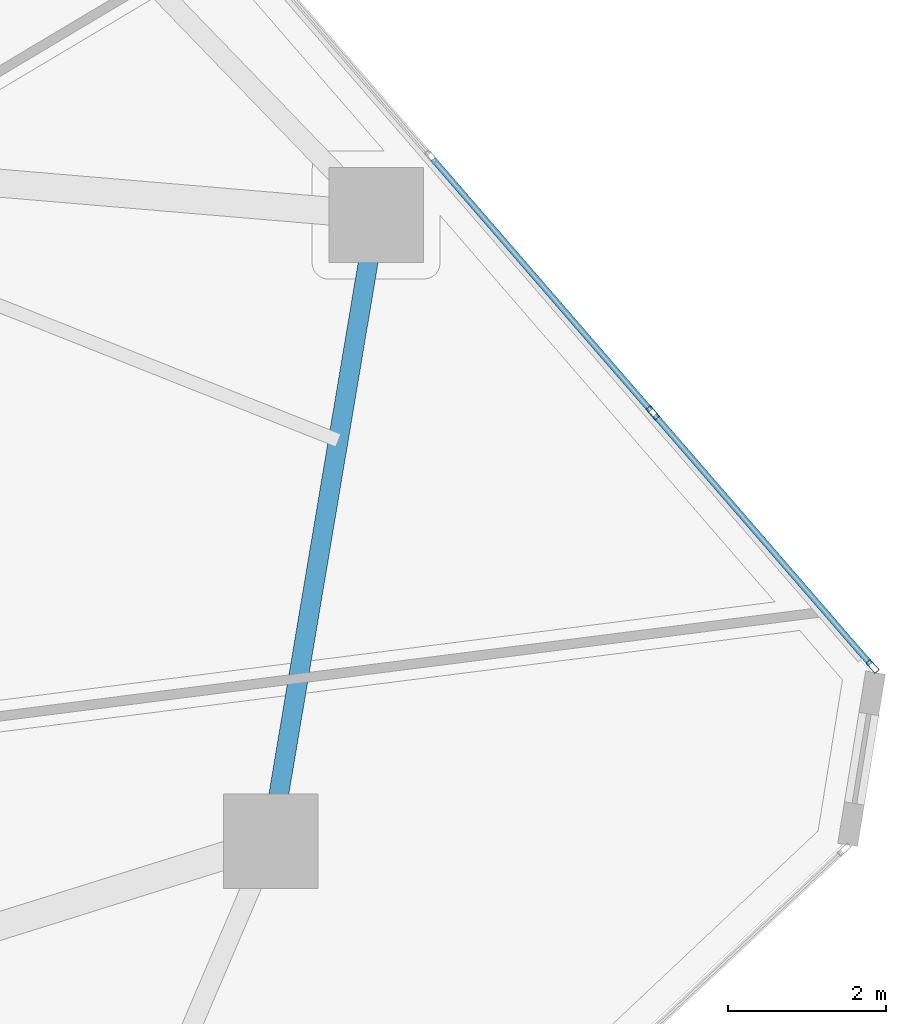
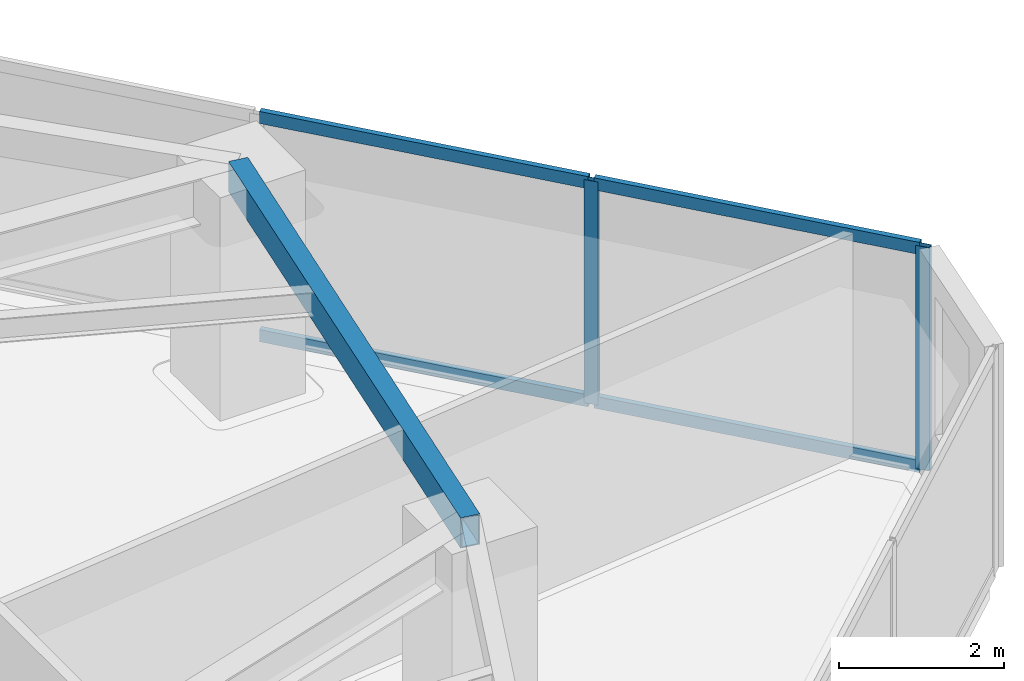
# One storey, part 14 of 22: 6 members, 1 beam, 1 element without a shape of its own.
"""IFC4 building model written with IfcOpenShell, lengths in metres."""

from ifc_helpers import new_model, si_unit, direction, frame, origin, origin_2d, place, context, subcontext, project, spatial, hollow_rectangle, extrude, source, transform, mapped, material, layer, layer_set, material_profile, profile_set, type_object, type_shapes, element, aggregate, save


model = new_model("IFC4")

# Units and contexts
model_context = context("Model", 3, precision=1e-05, world=origin(), true_north=direction((0.0, 1.0)))
body_context = subcontext(model_context, "Body", "Model", "MODEL_VIEW")
ifc_project = project(units=[si_unit("LENGTHUNIT", "METRE"), si_unit("AREAUNIT", "SQUARE_METRE"), si_unit("VOLUMEUNIT", "CUBIC_METRE"), si_unit("PLANEANGLEUNIT", "RADIAN"), si_unit("MASSUNIT", "GRAM", prefix="KILO")], contexts=[model_context])

# Site, building, storey
site_placement = place(None, origin())
site = spatial("IfcSite", under=ifc_project, at=site_placement, CompositionType="ELEMENT")
building_placement = place(site_placement, origin())
building = spatial("IfcBuilding", under=site, at=building_placement, Name="Talar Marvaseh", CompositionType="ELEMENT")
storey_placement = place(building_placement, frame((0.0, 0.0, 89.39990234375)))
storey = spatial("IfcBuildingStorey", under=building, at=storey_placement, Name="L22", CompositionType="ELEMENT", Elevation=89.39990234375)

# Beam
ifc_material_1 = material(Name="Steel S355", Category="steel")
ifc_material_profile_1 = material_profile(ifc_material_1, hollow_rectangle(XDim=0.25, YDim=0.449951171875, WallThickness=0.01611328125, at=origin_2d()), Name="RHS450x250x16")
ifc_profile_set_1 = profile_set([ifc_material_profile_1], Name="Steel S355")
beam_type = type_object("IfcBeamType", Name="Zone 2 Perimeter Spandrel Beam RHS450x250x16", PredefinedType="SPANDREL", material=ifc_profile_set_1)
beam_placement = place(storey_placement, frame((43.0439453125, 36.075927734375, 3.085205078125), z_axis=(-0.165641685249, -0.986186002795, 0.0), x_axis=(0.986186002795, -0.165641685249, 0.0)))
element("IfcBeam", 1, at=beam_placement, inside=storey, type_object=beam_type, Name="L22 Zone 2 Perimeter Spandrel Beam RHS450x250x16", PredefinedType="SPANDREL", context=body_context, shape_type="SweptSolid", body=[
    extrude(hollow_rectangle(XDim=0.25, YDim=0.449951171875, WallThickness=0.01611328125, at=origin_2d()), origin(), (0.0, 0.0, 1.0), 8.059326171875),
])

# Curtain wall, members
ifc_material_2 = material(Name="Architectural Aluminium", Category="aluminium")
ifc_layer = layer(ifc_material_2, 0.199951171875)
ifc_layer_set = layer_set([ifc_layer], Name="Architectural Aluminium")
curtain_wall_type = type_object("IfcCurtainWallType", Name="Unitised Acoustic Library Curtain Wall Z2", PredefinedType="NOTDEFINED", material=ifc_layer_set)
curtain_wall_placement = place(storey_placement, origin())
curtain_wall = element("IfcCurtainWall", 2, at=curtain_wall_placement, inside=storey, type_object=curtain_wall_type, Name="L22 Unitised Acoustic Library Curtain Wall Z2", PredefinedType="NOTDEFINED")
ifc_material_profile_2 = material_profile(ifc_material_2, hollow_rectangle(XDim=0.074951171875, YDim=0.179931640625, WallThickness=0.0048828125, at=origin_2d()), Name="RHS180x75x5")
ifc_profile_set_2 = profile_set([ifc_material_profile_2], Name="Architectural Aluminium")
member_type_1 = type_object("IfcMemberType", Name="Unitised Curtain Wall Standard Mullion RHS180x75x5", PredefinedType="MULLION", material=ifc_profile_set_2)
shared_shape_1 = source(origin(), body_context, "Body", "SweptSolid", [
    extrude(hollow_rectangle(XDim=0.074951171875, YDim=0.179931640625, WallThickness=0.0048828125, at=origin_2d()), origin(), (0.0, 0.0, 1.0), 3.31005859375),
])
type_shapes(member_type_1, [shared_shape_1])
member_1_placement = place(storey_placement, frame((46.554931640625, 33.56591796875, 0.0), z_axis=(0.0, 0.0, 1.0), x_axis=(0.755810558041, 0.654790348396, 0.0)))
member_1 = element("IfcMember", 3, at=member_1_placement, type_object=member_type_1, Name="CW-Z2 mullion 4", PredefinedType="MULLION", context=body_context, shape_type="MappedRepresentation", body=[
    mapped(shared_shape_1, transform((0.0, 0.0, 0.0), x_axis=(1.0, 0.0, 0.0), y_axis=(0.0, 1.0, 0.0), z_axis=(0.0, 0.0, 1.0), scale=1.0)),
])
member_2_placement = place(storey_placement, frame((49.3447265625, 30.345703125, 0.0), z_axis=(0.0, 0.0, 1.0), x_axis=(0.755810558041, 0.654790348396, 0.0)))
member_2 = element("IfcMember", 4, at=member_2_placement, type_object=member_type_1, Name="CW-Z2 mullion 5", PredefinedType="MULLION", context=body_context, shape_type="MappedRepresentation", body=[
    mapped(shared_shape_1, transform((0.0, 0.0, 0.0), x_axis=(1.0, 0.0, 0.0), y_axis=(0.0, 1.0, 0.0), z_axis=(0.0, 0.0, 1.0), scale=1.0)),
])
ifc_material_profile_3 = material_profile(ifc_material_2, hollow_rectangle(XDim=0.074951171875, YDim=0.179931640625, WallThickness=0.0048828125, at=origin_2d()), Name="RHS180x75x5")
ifc_profile_set_3 = profile_set([ifc_material_profile_3], Name="Architectural Aluminium")
member_type_2 = type_object("IfcMemberType", Name="Unitised Curtain Wall Transom RHS180x75x5", PredefinedType="USERDEFINED", material=ifc_profile_set_3)
shared_shape_2 = source(origin(), body_context, "Body", "SweptSolid", [
    extrude(hollow_rectangle(XDim=0.074951171875, YDim=0.179931640625, WallThickness=0.0048828125, at=origin_2d()), origin(), (0.0, 0.0, 1.0), 4.185302734375),
])
member_3_placement = place(storey_placement, frame((46.57958984375, 33.537353515625, 0.03759765625), z_axis=(0.654783954221, -0.755816097536, 0.0), x_axis=(0.755816097536, 0.654783954221, 0.0)))
member_3 = element("IfcMember", 5, at=member_3_placement, type_object=member_type_2, Name="CW-Z2 transom 4.1", ObjectType="TRANSOM", PredefinedType="USERDEFINED", context=body_context, shape_type="MappedRepresentation", body=[
    mapped(shared_shape_2, transform((0.0, 0.0, 0.0), x_axis=(1.0, 0.0, 0.0), y_axis=(0.0, 1.0, 0.0), z_axis=(0.0, 0.0, 1.0), scale=1.0)),
])
member_4_placement = place(storey_placement, frame((46.57958984375, 33.537353515625, 3.272705078125), z_axis=(0.654783954221, -0.755816097536, 0.0), x_axis=(0.755816097536, 0.654783954221, 0.0)))
member_4 = element("IfcMember", 6, at=member_4_placement, type_object=member_type_2, Name="CW-Z2 transom 4.2", ObjectType="TRANSOM", PredefinedType="USERDEFINED", context=body_context, shape_type="MappedRepresentation", body=[
    mapped(shared_shape_2, transform((0.0, 0.0, 0.0), x_axis=(1.0, 0.0, 0.0), y_axis=(0.0, 1.0, 0.0), z_axis=(0.0, 0.0, 1.0), scale=1.0)),
])
shared_shape_3 = source(origin(), body_context, "Body", "SweptSolid", [
    extrude(hollow_rectangle(XDim=0.074951171875, YDim=0.179931640625, WallThickness=0.0048828125, at=origin_2d()), origin(), (0.0, 0.0, 1.0), 4.222900390625),
])
type_shapes(member_type_2, [shared_shape_2, shared_shape_3])
member_5_placement = place(storey_placement, frame((43.765380859375, 36.785888671875, 0.03759765625), z_axis=(0.65480066749, -0.755801618055, 0.0), x_axis=(0.755801618055, 0.65480066749, 0.0)))
member_5 = element("IfcMember", 7, at=member_5_placement, type_object=member_type_2, Name="CW-Z2 transom 3.1", ObjectType="TRANSOM", PredefinedType="USERDEFINED", context=body_context, shape_type="MappedRepresentation", body=[
    mapped(shared_shape_3, transform((0.0, 0.0, 0.0), x_axis=(1.0, 0.0, 0.0), y_axis=(0.0, 1.0, 0.0), z_axis=(0.0, 0.0, 1.0), scale=1.0)),
])
member_6_placement = place(storey_placement, frame((43.765380859375, 36.785888671875, 3.272705078125), z_axis=(0.65480066749, -0.755801618055, 0.0), x_axis=(0.755801618055, 0.65480066749, 0.0)))
member_6 = element("IfcMember", 8, at=member_6_placement, type_object=member_type_2, Name="CW-Z2 transom 3.2", ObjectType="TRANSOM", PredefinedType="USERDEFINED", context=body_context, shape_type="MappedRepresentation", body=[
    mapped(shared_shape_3, transform((0.0, 0.0, 0.0), x_axis=(1.0, 0.0, 0.0), y_axis=(0.0, 1.0, 0.0), z_axis=(0.0, 0.0, 1.0), scale=1.0)),
])
aggregate(curtain_wall, [member_1, member_2, member_5, member_6, member_3, member_4])

save(model, "model.ifc")
